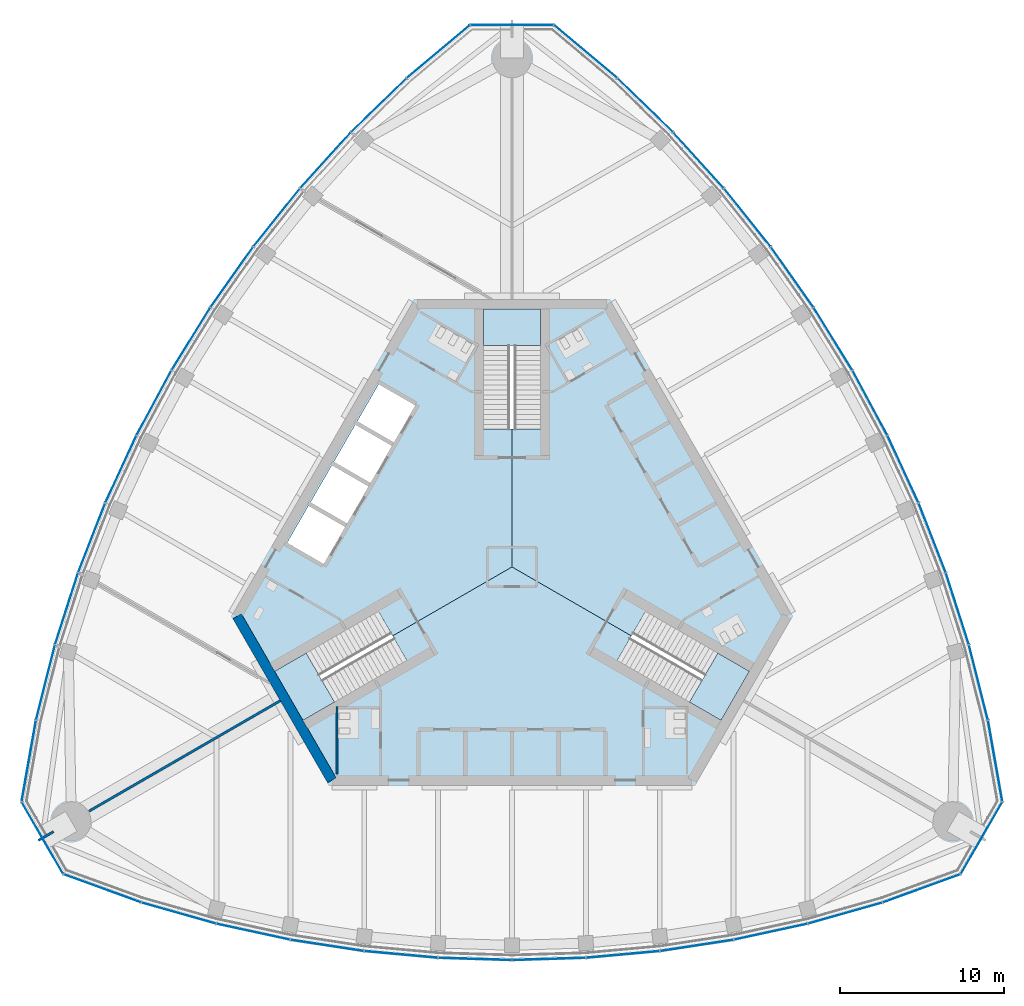
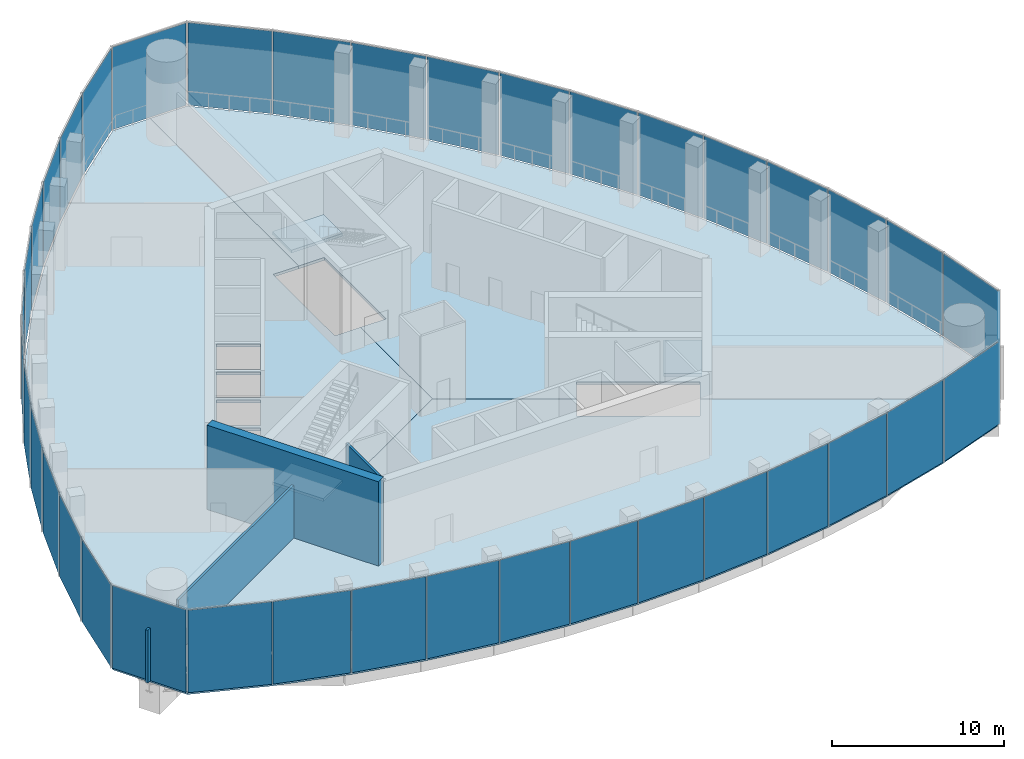
# One storey, part 8 of 15: 39 plates, 6 slabs, 4 walls, 9 elements without a shape of their own.
"""IFC4 building model written with IfcOpenShell, lengths in metres."""

from ifc_helpers import new_model, si_unit, direction, frame, frame_2d, origin, origin_2d, place, context, subcontext, project, spatial, polyline, rectangle, outline, extrude, material, layer, layer_set, type_object, element, aggregate, save


model = new_model("IFC4")

# Units and contexts
model_context = context("Model", 3, precision=1e-05, world=origin(), true_north=direction((0.0, 1.0)))
body_context = subcontext(model_context, "Body", "Model", "MODEL_VIEW")
ifc_project = project(units=[si_unit("LENGTHUNIT", "METRE"), si_unit("AREAUNIT", "SQUARE_METRE"), si_unit("VOLUMEUNIT", "CUBIC_METRE"), si_unit("PLANEANGLEUNIT", "RADIAN"), si_unit("MASSUNIT", "GRAM", prefix="KILO")], contexts=[model_context])

# Site, building, storey
site_placement = place(None, origin())
site = spatial("IfcSite", under=ifc_project, at=site_placement, CompositionType="ELEMENT")
building_placement = place(site_placement, origin())
building = spatial("IfcBuilding", under=site, at=building_placement, Name="Trefoil Bronze Tower", CompositionType="ELEMENT")
storey_placement = place(building_placement, frame((0.0, 0.0, 322.5)))
storey = spatial("IfcBuildingStorey", under=building, at=storey_placement, Name="L74", CompositionType="ELEMENT", Elevation=322.5)

# Curtain wall, plates
ifc_material_1 = material(Name="Tinted solar-control glass", Category="glass")
curtain_wall_type_1 = type_object("IfcCurtainWallType", Name="Bronze observation curtain wall", PredefinedType="USERDEFINED", material=ifc_material_1)
curtain_wall_1_placement = place(storey_placement, origin())
curtain_wall_1 = element("IfcCurtainWall", 1, at=curtain_wall_1_placement, inside=storey, type_object=curtain_wall_type_1, Name="CW-E L74 F1", ObjectType="CURTAIN WALL", PredefinedType="USERDEFINED")
ifc_material_2 = material(Name="Tinted solar-control glass", Category="glass")
ifc_layer_1 = layer(ifc_material_2, 0.030029296875)
ifc_layer_set_1 = layer_set([ifc_layer_1], Name="Bronze observation curtain wall glass panel")
plate_type_1 = type_object("IfcPlateType", Name="Bronze observation curtain wall glass panel", PredefinedType="CURTAIN_PANEL", material=ifc_layer_set_1)
plate_1_placement = place(storey_placement, frame((-20.301513671875, -21.092529296875, 0.0), z_axis=(0.0, 0.0, 1.0), x_axis=(0.962097746943, -0.272704831875, 0.0)))
plate_1 = element("IfcPlate", 2, at=plate_1_placement, type_object=plate_type_1, Name="CW-E L74 F1 panel 1", PredefinedType="CURTAIN_PANEL", context=body_context, shape_type="SweptSolid", body=[
    extrude(rectangle(XDim=4.66748046875, YDim=0.030029296875, at=origin_2d()), origin(), (0.0, 0.0, 1.0), 5.8798828125),
])
plate_2_placement = place(storey_placement, frame((-15.771240234375, -22.226318359375, 0.0), z_axis=(0.0, 0.0, 1.0), x_axis=(0.977303138829, -0.211845639168, 0.0)))
plate_2 = element("IfcPlate", 3, at=plate_2_placement, type_object=plate_type_1, Name="CW-E L74 F1 panel 2", PredefinedType="CURTAIN_PANEL", context=body_context, shape_type="SweptSolid", body=[
    extrude(rectangle(XDim=4.54443359375, YDim=0.030029296875, at=origin_2d()), origin(), (0.0, 0.0, 1.0), 5.8798828125),
])
plate_3_placement = place(storey_placement, frame((-11.26513671875, -23.0595703125, 0.0), z_axis=(0.0, 0.0, 1.0), x_axis=(0.988485337216, -0.151316681529, 0.0)))
plate_3 = element("IfcPlate", 4, at=plate_3_placement, type_object=plate_type_1, Name="CW-E L74 F1 panel 3", PredefinedType="CURTAIN_PANEL", context=body_context, shape_type="SweptSolid", body=[
    extrude(rectangle(XDim=4.492431640625, YDim=0.030029296875, at=origin_2d()), origin(), (0.0, 0.0, 1.0), 5.8798828125),
])
plate_4_placement = place(storey_placement, frame((-6.759033203125, -23.60986328125, 0.0), z_axis=(0.0, 0.0, 1.0), x_axis=(0.99587011625, -0.090789380212, 0.0)))
plate_4 = element("IfcPlate", 5, at=plate_4_placement, type_object=plate_type_1, Name="CW-E L74 F1 panel 4", PredefinedType="CURTAIN_PANEL", context=body_context, shape_type="SweptSolid", body=[
    extrude(rectangle(XDim=4.458740234375, YDim=0.030029296875, at=origin_2d()), origin(), (0.0, 0.0, 1.0), 5.8798828125),
])
plate_5_placement = place(storey_placement, frame((-2.2529296875, -23.883544921875, 0.0), z_axis=(0.0, 0.0, 1.0), x_axis=(0.999541969785, -0.030263024264, 0.0)))
plate_5 = element("IfcPlate", 6, at=plate_5_placement, type_object=plate_type_1, Name="CW-E L74 F1 panel 5", PredefinedType="CURTAIN_PANEL", context=body_context, shape_type="SweptSolid", body=[
    extrude(rectangle(XDim=4.442138671875, YDim=0.030029296875, at=origin_2d()), origin(), (0.0, 0.0, 1.0), 5.8798828125),
])
plate_6_placement = place(storey_placement, frame((2.2529296875, -23.883544921875, 0.0), z_axis=(0.0, 0.0, 1.0), x_axis=(0.999541969785, 0.030263024264, 0.0)))
plate_6 = element("IfcPlate", 7, at=plate_6_placement, type_object=plate_type_1, Name="CW-E L74 F1 panel 6", PredefinedType="CURTAIN_PANEL", context=body_context, shape_type="SweptSolid", body=[
    extrude(rectangle(XDim=4.442138671875, YDim=0.030029296875, at=origin_2d()), origin(), (0.0, 0.0, 1.0), 5.8798828125),
])
plate_7_placement = place(storey_placement, frame((6.759033203125, -23.60986328125, 0.0), z_axis=(0.0, 0.0, 1.0), x_axis=(0.99587011625, 0.090789380212, 0.0)))
plate_7 = element("IfcPlate", 8, at=plate_7_placement, type_object=plate_type_1, Name="CW-E L74 F1 panel 7", PredefinedType="CURTAIN_PANEL", context=body_context, shape_type="SweptSolid", body=[
    extrude(rectangle(XDim=4.458740234375, YDim=0.030029296875, at=origin_2d()), origin(), (0.0, 0.0, 1.0), 5.8798828125),
])
plate_8_placement = place(storey_placement, frame((11.26513671875, -23.0595703125, 0.0), z_axis=(0.0, 0.0, 1.0), x_axis=(0.988485337216, 0.151316681529, 0.0)))
plate_8 = element("IfcPlate", 9, at=plate_8_placement, type_object=plate_type_1, Name="CW-E L74 F1 panel 8", PredefinedType="CURTAIN_PANEL", context=body_context, shape_type="SweptSolid", body=[
    extrude(rectangle(XDim=4.492431640625, YDim=0.030029296875, at=origin_2d()), origin(), (0.0, 0.0, 1.0), 5.8798828125),
])
plate_9_placement = place(storey_placement, frame((15.771240234375, -22.226318359375, 0.0), z_axis=(0.0, 0.0, 1.0), x_axis=(0.977303138829, 0.211845639168, 0.0)))
plate_9 = element("IfcPlate", 10, at=plate_9_placement, type_object=plate_type_1, Name="CW-E L74 F1 panel 9", PredefinedType="CURTAIN_PANEL", context=body_context, shape_type="SweptSolid", body=[
    extrude(rectangle(XDim=4.54443359375, YDim=0.030029296875, at=origin_2d()), origin(), (0.0, 0.0, 1.0), 5.8798828125),
])
plate_10_placement = place(storey_placement, frame((20.301513671875, -21.092529296875, 0.0), z_axis=(0.0, 0.0, 1.0), x_axis=(0.962097746943, 0.272704831875, 0.0)))
plate_10 = element("IfcPlate", 11, at=plate_10_placement, type_object=plate_type_1, Name="CW-E L74 F1 panel 10", PredefinedType="CURTAIN_PANEL", context=body_context, shape_type="SweptSolid", body=[
    extrude(rectangle(XDim=4.66748046875, YDim=0.030029296875, at=origin_2d()), origin(), (0.0, 0.0, 1.0), 5.8798828125),
])
aggregate(curtain_wall_1, [plate_1, plate_2, plate_3, plate_4, plate_5, plate_6, plate_7, plate_8, plate_9, plate_10])

curtain_wall_2_placement = place(storey_placement, origin())
curtain_wall_2 = element("IfcCurtainWall", 12, at=curtain_wall_2_placement, inside=storey, type_object=curtain_wall_type_1, Name="CW-E L74 F2", ObjectType="CURTAIN WALL", PredefinedType="USERDEFINED")
plate_11_placement = place(storey_placement, frame((28.417236328125, -7.035400390625, 0.0), z_axis=(0.0, 0.0, 1.0), x_axis=(-0.244879561333, 0.969553505713, 0.0)))
plate_11 = element("IfcPlate", 13, at=plate_11_placement, type_object=plate_type_1, Name="CW-E L74 F2 panel 1", PredefinedType="CURTAIN_PANEL", context=body_context, shape_type="SweptSolid", body=[
    extrude(rectangle(XDim=4.66748046875, YDim=0.030029296875, at=origin_2d()), origin(), (0.0, 0.0, 1.0), 5.8798828125),
])
plate_12_placement = place(storey_placement, frame((27.134033203125, -2.545166015625, 0.0), z_axis=(0.0, 0.0, 1.0), x_axis=(-0.305187864214, 0.952292165009, 0.0)))
plate_12 = element("IfcPlate", 14, at=plate_12_placement, type_object=plate_type_1, Name="CW-E L74 F2 panel 2", PredefinedType="CURTAIN_PANEL", context=body_context, shape_type="SweptSolid", body=[
    extrude(rectangle(XDim=4.54443359375, YDim=0.030029296875, at=origin_2d()), origin(), (0.0, 0.0, 1.0), 5.8798828125),
])
plate_13_placement = place(storey_placement, frame((25.602783203125, 1.77392578125, 0.0), z_axis=(0.0, 0.0, 1.0), x_axis=(-0.363198578387, 0.931711754062, 0.0)))
plate_13 = element("IfcPlate", 15, at=plate_13_placement, type_object=plate_type_1, Name="CW-E L74 F2 panel 3", PredefinedType="CURTAIN_PANEL", context=body_context, shape_type="SweptSolid", body=[
    extrude(rectangle(XDim=4.492431640625, YDim=0.030029296875, at=origin_2d()), origin(), (0.0, 0.0, 1.0), 5.8798828125),
])
plate_14_placement = place(storey_placement, frame((23.826171875, 5.951416015625, 0.0), z_axis=(0.0, 0.0, 1.0), x_axis=(-0.419309148468, 0.907843509649, 0.0)))
plate_14 = element("IfcPlate", 16, at=plate_14_placement, type_object=plate_type_1, Name="CW-E L74 F2 panel 4", PredefinedType="CURTAIN_PANEL", context=body_context, shape_type="SweptSolid", body=[
    extrude(rectangle(XDim=4.458740234375, YDim=0.030029296875, at=origin_2d()), origin(), (0.0, 0.0, 1.0), 5.8798828125),
])
plate_15_placement = place(storey_placement, frame((21.81005859375, 9.990478515625, 0.0), z_axis=(0.0, 0.0, 1.0), x_axis=(-0.473562437085, 0.880760250115, 0.0)))
plate_15 = element("IfcPlate", 17, at=plate_15_placement, type_object=plate_type_1, Name="CW-E L74 F2 panel 5", PredefinedType="CURTAIN_PANEL", context=body_context, shape_type="SweptSolid", body=[
    extrude(rectangle(XDim=4.442138671875, YDim=0.030029296875, at=origin_2d()), origin(), (0.0, 0.0, 1.0), 5.8798828125),
])
plate_16_placement = place(storey_placement, frame((19.55712890625, 13.892822265625, 0.0), z_axis=(0.0, 0.0, 1.0), x_axis=(-0.525979532701, 0.850497225851, 0.0)))
plate_16 = element("IfcPlate", 18, at=plate_16_placement, type_object=plate_type_1, Name="CW-E L74 F2 panel 6", PredefinedType="CURTAIN_PANEL", context=body_context, shape_type="SweptSolid", body=[
    extrude(rectangle(XDim=4.442138671875, YDim=0.030029296875, at=origin_2d()), origin(), (0.0, 0.0, 1.0), 5.8798828125),
])
plate_17_placement = place(storey_placement, frame((17.067138671875, 17.658447265625, 0.0), z_axis=(0.0, 0.0, 1.0), x_axis=(-0.576560967783, 0.817054129437, 0.0)))
plate_17 = element("IfcPlate", 19, at=plate_17_placement, type_object=plate_type_1, Name="CW-E L74 F2 panel 7", PredefinedType="CURTAIN_PANEL", context=body_context, shape_type="SweptSolid", body=[
    extrude(rectangle(XDim=4.458740234375, YDim=0.030029296875, at=origin_2d()), origin(), (0.0, 0.0, 1.0), 5.8798828125),
])
plate_18_placement = place(storey_placement, frame((14.337646484375, 21.28564453125, 0.0), z_axis=(0.0, 0.0, 1.0), x_axis=(-0.625286758829, 0.780395072533, 0.0)))
plate_18 = element("IfcPlate", 20, at=plate_18_placement, type_object=plate_type_1, Name="CW-E L74 F2 panel 8", PredefinedType="CURTAIN_PANEL", context=body_context, shape_type="SweptSolid", body=[
    extrude(rectangle(XDim=4.492431640625, YDim=0.030029296875, at=origin_2d()), origin(), (0.0, 0.0, 1.0), 5.8798828125),
])
plate_19_placement = place(storey_placement, frame((11.36279296875, 24.771484375, 0.0), z_axis=(0.0, 0.0, 1.0), x_axis=(-0.672115274615, 0.74044652584, 0.0)))
plate_19 = element("IfcPlate", 21, at=plate_19_placement, type_object=plate_type_1, Name="CW-E L74 F2 panel 9", PredefinedType="CURTAIN_PANEL", context=body_context, shape_type="SweptSolid", body=[
    extrude(rectangle(XDim=4.54443359375, YDim=0.030029296875, at=origin_2d()), origin(), (0.0, 0.0, 1.0), 5.8798828125),
])
plate_20_placement = place(storey_placement, frame((8.115966796875, 28.127685546875, 0.0), z_axis=(0.0, 0.0, 1.0), x_axis=(-0.71721818561, 0.696848673839, 0.0)))
plate_20 = element("IfcPlate", 22, at=plate_20_placement, type_object=plate_type_1, Name="CW-E L74 F2 panel 10", PredefinedType="CURTAIN_PANEL", context=body_context, shape_type="SweptSolid", body=[
    extrude(rectangle(XDim=4.66748046875, YDim=0.030029296875, at=origin_2d()), origin(), (0.0, 0.0, 1.0), 5.8798828125),
])
aggregate(curtain_wall_2, [plate_11, plate_12, plate_13, plate_14, plate_15, plate_16, plate_17, plate_18, plate_19, plate_20])

curtain_wall_3_placement = place(storey_placement, origin())
curtain_wall_3 = element("IfcCurtainWall", 23, at=curtain_wall_3_placement, inside=storey, type_object=curtain_wall_type_1, Name="CW-E L74 F3", ObjectType="CURTAIN WALL", PredefinedType="USERDEFINED")
plate_21_placement = place(storey_placement, frame((-8.115966796875, 28.127685546875, 0.0), z_axis=(0.0, 0.0, 1.0), x_axis=(-0.71721818561, -0.696848673839, 0.0)))
plate_21 = element("IfcPlate", 24, at=plate_21_placement, type_object=plate_type_1, Name="CW-E L74 F3 panel 1", PredefinedType="CURTAIN_PANEL", context=body_context, shape_type="SweptSolid", body=[
    extrude(rectangle(XDim=4.66748046875, YDim=0.030029296875, at=origin_2d()), origin(), (0.0, 0.0, 1.0), 5.8798828125),
])
plate_22_placement = place(storey_placement, frame((-11.36279296875, 24.771484375, 0.0), z_axis=(0.0, 0.0, 1.0), x_axis=(-0.672115274615, -0.74044652584, 0.0)))
plate_22 = element("IfcPlate", 25, at=plate_22_placement, type_object=plate_type_1, Name="CW-E L74 F3 panel 2", PredefinedType="CURTAIN_PANEL", context=body_context, shape_type="SweptSolid", body=[
    extrude(rectangle(XDim=4.54443359375, YDim=0.030029296875, at=origin_2d()), origin(), (0.0, 0.0, 1.0), 5.8798828125),
])
plate_23_placement = place(storey_placement, frame((-14.337646484375, 21.28564453125, 0.0), z_axis=(0.0, 0.0, 1.0), x_axis=(-0.625286758829, -0.780395072533, 0.0)))
plate_23 = element("IfcPlate", 26, at=plate_23_placement, type_object=plate_type_1, Name="CW-E L74 F3 panel 3", PredefinedType="CURTAIN_PANEL", context=body_context, shape_type="SweptSolid", body=[
    extrude(rectangle(XDim=4.492431640625, YDim=0.030029296875, at=origin_2d()), origin(), (0.0, 0.0, 1.0), 5.8798828125),
])
plate_24_placement = place(storey_placement, frame((-17.067138671875, 17.658447265625, 0.0), z_axis=(0.0, 0.0, 1.0), x_axis=(-0.576560967783, -0.817054129437, 0.0)))
plate_24 = element("IfcPlate", 27, at=plate_24_placement, type_object=plate_type_1, Name="CW-E L74 F3 panel 4", PredefinedType="CURTAIN_PANEL", context=body_context, shape_type="SweptSolid", body=[
    extrude(rectangle(XDim=4.458740234375, YDim=0.030029296875, at=origin_2d()), origin(), (0.0, 0.0, 1.0), 5.8798828125),
])
plate_25_placement = place(storey_placement, frame((-19.55712890625, 13.892822265625, 0.0), z_axis=(0.0, 0.0, 1.0), x_axis=(-0.525979532701, -0.850497225851, 0.0)))
plate_25 = element("IfcPlate", 28, at=plate_25_placement, type_object=plate_type_1, Name="CW-E L74 F3 panel 5", PredefinedType="CURTAIN_PANEL", context=body_context, shape_type="SweptSolid", body=[
    extrude(rectangle(XDim=4.442138671875, YDim=0.030029296875, at=origin_2d()), origin(), (0.0, 0.0, 1.0), 5.8798828125),
])
plate_26_placement = place(storey_placement, frame((-21.81005859375, 9.990478515625, 0.0), z_axis=(0.0, 0.0, 1.0), x_axis=(-0.473562437085, -0.880760250115, 0.0)))
plate_26 = element("IfcPlate", 29, at=plate_26_placement, type_object=plate_type_1, Name="CW-E L74 F3 panel 6", PredefinedType="CURTAIN_PANEL", context=body_context, shape_type="SweptSolid", body=[
    extrude(rectangle(XDim=4.442138671875, YDim=0.030029296875, at=origin_2d()), origin(), (0.0, 0.0, 1.0), 5.8798828125),
])
plate_27_placement = place(storey_placement, frame((-23.826171875, 5.951416015625, 0.0), z_axis=(0.0, 0.0, 1.0), x_axis=(-0.419309148468, -0.907843509649, 0.0)))
plate_27 = element("IfcPlate", 30, at=plate_27_placement, type_object=plate_type_1, Name="CW-E L74 F3 panel 7", PredefinedType="CURTAIN_PANEL", context=body_context, shape_type="SweptSolid", body=[
    extrude(rectangle(XDim=4.458740234375, YDim=0.030029296875, at=origin_2d()), origin(), (0.0, 0.0, 1.0), 5.8798828125),
])
plate_28_placement = place(storey_placement, frame((-25.602783203125, 1.77392578125, 0.0), z_axis=(0.0, 0.0, 1.0), x_axis=(-0.363198578387, -0.931711754062, 0.0)))
plate_28 = element("IfcPlate", 31, at=plate_28_placement, type_object=plate_type_1, Name="CW-E L74 F3 panel 8", PredefinedType="CURTAIN_PANEL", context=body_context, shape_type="SweptSolid", body=[
    extrude(rectangle(XDim=4.492431640625, YDim=0.030029296875, at=origin_2d()), origin(), (0.0, 0.0, 1.0), 5.8798828125),
])
plate_29_placement = place(storey_placement, frame((-27.134033203125, -2.545166015625, 0.0), z_axis=(0.0, 0.0, 1.0), x_axis=(-0.305187864214, -0.952292165009, 0.0)))
plate_29 = element("IfcPlate", 32, at=plate_29_placement, type_object=plate_type_1, Name="CW-E L74 F3 panel 9", PredefinedType="CURTAIN_PANEL", context=body_context, shape_type="SweptSolid", body=[
    extrude(rectangle(XDim=4.54443359375, YDim=0.030029296875, at=origin_2d()), origin(), (0.0, 0.0, 1.0), 5.8798828125),
])
plate_30_placement = place(storey_placement, frame((-28.417236328125, -7.035400390625, 0.0), z_axis=(0.0, 0.0, 1.0), x_axis=(-0.244879561333, -0.969553505713, 0.0)))
plate_30 = element("IfcPlate", 33, at=plate_30_placement, type_object=plate_type_1, Name="CW-E L74 F3 panel 10", PredefinedType="CURTAIN_PANEL", context=body_context, shape_type="SweptSolid", body=[
    extrude(rectangle(XDim=4.66748046875, YDim=0.030029296875, at=origin_2d()), origin(), (0.0, 0.0, 1.0), 5.8798828125),
])
aggregate(curtain_wall_3, [plate_21, plate_22, plate_23, plate_24, plate_25, plate_26, plate_27, plate_28, plate_29, plate_30])

ifc_material_3 = material(Name="Tinted solar-control glass", Category="glass")
curtain_wall_type_2 = type_object("IfcCurtainWallType", Name="Bronze rounded corner curtain wall", PredefinedType="USERDEFINED", material=ifc_material_3)
curtain_wall_4_placement = place(storey_placement, origin())
curtain_wall_4 = element("IfcCurtainWall", 34, at=curtain_wall_4_placement, inside=storey, type_object=curtain_wall_type_2, Name="CW-B L74 K1", ObjectType="CURTAIN WALL", PredefinedType="USERDEFINED")
ifc_material_4 = material(Name="Tinted solar-control glass", Category="glass")
ifc_layer_2 = layer(ifc_material_4, 0.030029296875)
ifc_layer_set_2 = layer_set([ifc_layer_2], Name="Bronze rounded corner curtain wall glass panel")
plate_type_2 = type_object("IfcPlateType", Name="Bronze rounded corner curtain wall glass panel", PredefinedType="CURTAIN_PANEL", material=ifc_layer_set_2)
plate_31_placement = place(storey_placement, frame((24.939453125, -19.587646484375, 0.0), z_axis=(0.0, 0.0, 1.0), x_axis=(0.939692620786, 0.342020143326, 0.0)))
plate_31 = element("IfcPlate", 35, at=plate_31_placement, type_object=plate_type_2, Name="CW-B L74 K1 panel 1", PredefinedType="CURTAIN_PANEL", context=body_context, shape_type="SweptSolid", body=[
    extrude(rectangle(XDim=4.956298828125, YDim=0.030029296875, at=origin_2d()), origin(), (0.0, 0.0, 1.0), 5.8798828125),
])
plate_32_placement = place(storey_placement, frame((28.602783203125, -16.513916015625, 0.0), z_axis=(0.0, 0.0, 1.0), x_axis=(0.5, 0.866025403784, 0.0)))
plate_32 = element("IfcPlate", 36, at=plate_32_placement, type_object=plate_type_2, Name="CW-B L74 K1 panel 2", PredefinedType="CURTAIN_PANEL", context=body_context, shape_type="SweptSolid", body=[
    extrude(rectangle(XDim=4.956298828125, YDim=0.030029296875, at=origin_2d()), origin(), (0.0, 0.0, 1.0), 5.8798828125),
])
plate_33_placement = place(storey_placement, frame((29.43310546875, -11.80419921875, 0.0), z_axis=(0.0, 0.0, 1.0), x_axis=(-0.173648177667, 0.984807753012, 0.0)))
plate_33 = element("IfcPlate", 37, at=plate_33_placement, type_object=plate_type_2, Name="CW-B L74 K1 panel 3", PredefinedType="CURTAIN_PANEL", context=body_context, shape_type="SweptSolid", body=[
    extrude(rectangle(XDim=4.956298828125, YDim=0.030029296875, at=origin_2d()), origin(), (0.0, 0.0, 1.0), 5.8798828125),
])
aggregate(curtain_wall_4, [plate_31, plate_32, plate_33])

curtain_wall_5_placement = place(storey_placement, origin())
curtain_wall_5 = element("IfcCurtainWall", 38, at=curtain_wall_5_placement, inside=storey, type_object=curtain_wall_type_2, Name="CW-B L74 K2", ObjectType="CURTAIN WALL", PredefinedType="USERDEFINED")
plate_34_placement = place(storey_placement, frame((4.493896484375, 31.39208984375, 0.0), z_axis=(0.0, 0.0, 1.0), x_axis=(-0.766044443119, 0.642787609687, 0.0)))
plate_34 = element("IfcPlate", 39, at=plate_34_placement, type_object=plate_type_2, Name="CW-B L74 K2 panel 1", PredefinedType="CURTAIN_PANEL", context=body_context, shape_type="SweptSolid", body=[
    extrude(rectangle(XDim=4.956298828125, YDim=0.030029296875, at=origin_2d()), origin(), (0.0, 0.0, 1.0), 5.8798828125),
])
plate_35_placement = place(storey_placement, frame((0.0, 33.027587890625, 0.0), z_axis=(0.0, 0.0, 1.0), x_axis=(-1.0, 0.0, 0.0)))
plate_35 = element("IfcPlate", 40, at=plate_35_placement, type_object=plate_type_2, Name="CW-B L74 K2 panel 2", PredefinedType="CURTAIN_PANEL", context=body_context, shape_type="SweptSolid", body=[
    extrude(rectangle(XDim=4.956298828125, YDim=0.030029296875, at=origin_2d()), origin(), (0.0, 0.0, 1.0), 5.8798828125),
])
plate_36_placement = place(storey_placement, frame((-4.493896484375, 31.39208984375, 0.0), z_axis=(0.0, 0.0, 1.0), x_axis=(-0.766044443119, -0.642787609687, 0.0)))
plate_36 = element("IfcPlate", 41, at=plate_36_placement, type_object=plate_type_2, Name="CW-B L74 K2 panel 3", PredefinedType="CURTAIN_PANEL", context=body_context, shape_type="SweptSolid", body=[
    extrude(rectangle(XDim=4.956298828125, YDim=0.030029296875, at=origin_2d()), origin(), (0.0, 0.0, 1.0), 5.8798828125),
])
aggregate(curtain_wall_5, [plate_34, plate_35, plate_36])

curtain_wall_6_placement = place(storey_placement, origin())
curtain_wall_6 = element("IfcCurtainWall", 42, at=curtain_wall_6_placement, inside=storey, type_object=curtain_wall_type_2, Name="CW-B L74 K3", ObjectType="CURTAIN WALL", PredefinedType="USERDEFINED")
plate_37_placement = place(storey_placement, frame((-29.43310546875, -11.80419921875, 0.0), z_axis=(0.0, 0.0, 1.0), x_axis=(-0.173648177667, -0.984807753012, 0.0)))
plate_37 = element("IfcPlate", 43, at=plate_37_placement, type_object=plate_type_2, Name="CW-B L74 K3 panel 1", PredefinedType="CURTAIN_PANEL", context=body_context, shape_type="SweptSolid", body=[
    extrude(rectangle(XDim=4.956298828125, YDim=0.030029296875, at=origin_2d()), origin(), (0.0, 0.0, 1.0), 5.8798828125),
])
plate_38_placement = place(storey_placement, frame((-28.602783203125, -16.513916015625, 0.0), z_axis=(0.0, 0.0, 1.0), x_axis=(0.5, -0.866025403784, 0.0)))
plate_38 = element("IfcPlate", 44, at=plate_38_placement, type_object=plate_type_2, Name="CW-B L74 K3 panel 2", PredefinedType="CURTAIN_PANEL", context=body_context, shape_type="SweptSolid", body=[
    extrude(rectangle(XDim=4.956298828125, YDim=0.030029296875, at=origin_2d()), origin(), (0.0, 0.0, 1.0), 5.8798828125),
])
plate_39_placement = place(storey_placement, frame((-24.939453125, -19.587646484375, 0.0), z_axis=(0.0, 0.0, 1.0), x_axis=(0.939692620786, -0.342020143326, 0.0)))
plate_39 = element("IfcPlate", 45, at=plate_39_placement, type_object=plate_type_2, Name="CW-B L74 K3 panel 3", PredefinedType="CURTAIN_PANEL", context=body_context, shape_type="SweptSolid", body=[
    extrude(rectangle(XDim=4.956298828125, YDim=0.030029296875, at=origin_2d()), origin(), (0.0, 0.0, 1.0), 5.8798828125),
])
aggregate(curtain_wall_6, [plate_37, plate_38, plate_39])

# Slabs
ifc_material_5 = material(Name="Concrete B30", Category="concrete")
ifc_layer_3 = layer(ifc_material_5, 0.199951171875)
ifc_layer_set_3 = layer_set([ifc_layer_3], Name="Floor slab 200")
slab_type_1 = type_object("IfcSlabType", Name="Floor slab 200", PredefinedType="FLOOR", material=ifc_layer_set_3)
slab_1_placement = place(storey_placement, frame((0.0, 0.0, -0.199951171875)))
element("IfcSlab", 46, at=slab_1_placement, inside=storey, type_object=slab_type_1, Name="Floor slab L74 face 1", PredefinedType="FLOOR", context=body_context, shape_type="SweptSolid", body=[
    extrude(outline(polyline([(13.5, -22.6162109375), (9.0, -23.30517578125), (4.5, -23.71533203125), (0.0, -23.8515625), (-4.5, -23.71533203125), (-9.0, -23.30517578125), (-13.5, -22.6162109375), (-18.0, -21.640869140625), (-22.54833984375, -20.3515625), (-27.261962890625, -18.635986328125), (-28.51611328125, -16.4638671875), (-13.510009765625, -7.800048828125), (-12.6474609375, -9.2939453125), (-6.412109375, -5.69384765625), (-7.274658203125, -4.199951171875), (0.0, 0.0), (7.274658203125, -4.199951171875), (6.412109375, -5.69384765625), (12.6474609375, -9.2939453125), (13.510009765625, -7.800048828125), (28.51611328125, -16.4638671875), (27.261962890625, -18.635986328125), (22.54833984375, -20.3515625), (18.0, -21.640869140625), (13.5, -22.6162109375)])), origin(), (0.0, 0.0, 1.0), 0.199951171875),
])
slab_2_placement = place(storey_placement, frame((0.0, 0.0, -0.199951171875)))
element("IfcSlab", 47, at=slab_2_placement, inside=storey, type_object=slab_type_1, Name="Floor slab L74 face 2", PredefinedType="FLOOR", context=body_context, shape_type="SweptSolid", body=[
    extrude(outline(polyline([(12.836181640625, 22.99951171875), (15.682861328125, 19.44677734375), (18.2880859375, 15.7548828125), (20.656005859375, 11.92578125), (22.7880859375, 7.96044921875), (24.682861328125, 3.8583984375), (26.336181640625, -0.38330078125), (27.741455078125, -4.76806640625), (28.899169921875, -9.3515625), (29.770263671875, -14.291748046875), (28.51611328125, -16.4638671875), (13.510009765625, -7.800048828125), (14.37255859375, -6.30615234375), (8.13720703125, -2.7060546875), (7.274658203125, -4.199951171875), (0.0, 0.0), (0.0, 8.39990234375), (1.72509765625, 8.39990234375), (1.72509765625, 15.60009765625), (0.0, 15.60009765625), (0.0, 32.927490234375), (2.508056640625, 32.927490234375), (6.350830078125, 29.703125), (9.741455078125, 26.408935546875), (12.836181640625, 22.99951171875)])), origin(), (0.0, 0.0, 1.0), 0.199951171875),
])
slab_3_placement = place(storey_placement, frame((0.0, 0.0, -0.199951171875)))
element("IfcSlab", 48, at=slab_3_placement, inside=storey, type_object=slab_type_1, Name="Floor slab L74 face 3", PredefinedType="FLOOR", context=body_context, shape_type="SweptSolid", body=[
    extrude(outline(polyline([(-26.336181640625, -0.38330078125), (-24.682861328125, 3.8583984375), (-22.7880859375, 7.96044921875), (-20.656005859375, 11.92578125), (-18.2880859375, 15.7548828125), (-15.682861328125, 19.44677734375), (-12.836181640625, 22.99951171875), (-9.741455078125, 26.408935546875), (-6.350830078125, 29.703125), (-2.508056640625, 32.927490234375), (0.0, 32.927490234375), (0.0, 15.60009765625), (-1.72509765625, 15.60009765625), (-1.72509765625, 8.39990234375), (0.0, 8.39990234375), (0.0, 0.0), (-7.274658203125, -4.199951171875), (-8.13720703125, -2.7060546875), (-14.37255859375, -6.30615234375), (-13.510009765625, -7.800048828125), (-28.51611328125, -16.4638671875), (-29.770263671875, -14.291748046875), (-28.899169921875, -9.3515625), (-27.741455078125, -4.76806640625), (-26.336181640625, -0.38330078125)]), holes=[polyline([(-5.894287109375, 9.840576171875), (-7.1943359375, 7.5888671875), (-9.42431640625, 8.87646484375), (-8.12451171875, 11.128173828125), (-5.894287109375, 9.840576171875)]), polyline([(-7.3193359375, 7.372314453125), (-8.619384765625, 5.120849609375), (-10.849365234375, 6.408203125), (-9.54931640625, 8.659912109375), (-7.3193359375, 7.372314453125)]), polyline([(-8.744384765625, 4.904296875), (-10.04443359375, 2.652587890625), (-12.2744140625, 3.940185546875), (-10.974365234375, 6.191650390625), (-8.744384765625, 4.904296875)]), polyline([(-10.16943359375, 2.43603515625), (-11.469482421875, 0.184326171875), (-13.699462890625, 1.471923828125), (-12.3994140625, 3.7236328125), (-10.16943359375, 2.43603515625)])]), origin(), (0.0, 0.0, 1.0), 0.199951171875),
])

# Stair, slab
ifc_material_6 = material(Name="Precast concrete B80", Category="concrete")
stair_type = type_object("IfcStairType", Name="Exit stair 36 risers", PredefinedType="HALF_TURN_STAIR", material=ifc_material_6)
stair_1_placement = place(storey_placement, origin())
stair_1 = element("IfcStair", 49, at=stair_1_placement, inside=storey, type_object=stair_type, Name="Stair ST1 L74", PredefinedType="HALF_TURN_STAIR")
ifc_material_7 = material(Name="Concrete B30", Category="concrete")
ifc_layer_4 = layer(ifc_material_7, 0.199951171875)
ifc_layer_set_4 = layer_set([ifc_layer_4], Name="Stair landing 200")
slab_type_2 = type_object("IfcSlabType", Name="Stair landing 200", PredefinedType="LANDING", material=ifc_layer_set_4)
slab_4_placement = place(storey_placement, frame((0.0, 0.0, 2.800048828125)))
slab_4 = element("IfcSlab", 50, at=slab_4_placement, type_object=slab_type_2, Name="ST1 landing 1", PredefinedType="LANDING", context=body_context, shape_type="SweptSolid", body=[
    extrude(outline(polyline([(10.8115234375, -8.23388671875), (12.734130859375, -9.343994140625), (14.458984375, -6.356201171875), (12.53662109375, -5.24609375), (10.8115234375, -8.23388671875)])), origin(), (0.0, 0.0, 1.0), 0.199951171875),
])
aggregate(stair_1, [slab_4])

stair_2_placement = place(storey_placement, origin())
stair_2 = element("IfcStair", 51, at=stair_2_placement, inside=storey, type_object=stair_type, Name="Stair ST2 L74", PredefinedType="HALF_TURN_STAIR")
slab_5_placement = place(storey_placement, frame((0.0, 0.0, 2.800048828125)))
slab_5 = element("IfcSlab", 52, at=slab_5_placement, type_object=slab_type_2, Name="ST2 landing 1", PredefinedType="LANDING", context=body_context, shape_type="SweptSolid", body=[
    extrude(outline(polyline([(1.72509765625, 13.47998046875), (1.72509765625, 15.699951171875), (-1.72509765625, 15.699951171875), (-1.72509765625, 13.47998046875), (1.72509765625, 13.47998046875)])), origin(), (0.0, 0.0, 1.0), 0.199951171875),
])
aggregate(stair_2, [slab_5])

stair_3_placement = place(storey_placement, origin())
stair_3 = element("IfcStair", 53, at=stair_3_placement, inside=storey, type_object=stair_type, Name="Stair ST3 L74", PredefinedType="HALF_TURN_STAIR")
slab_6_placement = place(storey_placement, frame((0.0, 0.0, 2.800048828125)))
slab_6 = element("IfcSlab", 54, at=slab_6_placement, type_object=slab_type_2, Name="ST3 landing 1", PredefinedType="LANDING", context=body_context, shape_type="SweptSolid", body=[
    extrude(outline(polyline([(-12.53662109375, -5.24609375), (-14.458984375, -6.356201171875), (-12.734130859375, -9.343994140625), (-10.8115234375, -8.23388671875), (-12.53662109375, -5.24609375)])), origin(), (0.0, 0.0, 1.0), 0.199951171875),
])
aggregate(stair_3, [slab_6])

# Walls
ifc_material_8 = material(Name="Concrete B80", Category="concrete")
ifc_layer_5 = layer(ifc_material_8, 0.60009765625)
ifc_layer_set_5 = layer_set([ifc_layer_5], Name="Core wall 600")
wall_type_1 = type_object("IfcWallType", Name="Core wall 600", PredefinedType="SHEAR", material=ifc_layer_set_5)
wall_1_placement = place(storey_placement, frame((-16.7431640625, -3.0, 0.0), z_axis=(0.0, 0.0, 1.0), x_axis=(0.499995765644, -0.866027848477, 0.0)))
element("IfcWall", 55, at=wall_1_placement, inside=storey, type_object=wall_type_1, Name="Core short wall 3 L74", PredefinedType="SHEAR", context=body_context, shape_type="SweptSolid", body=[
    extrude(rectangle(XDim=11.546875, YDim=0.60009765625, at=frame_2d((5.7734375, 0.0))), origin(), (0.0, 0.0, 1.0), 6.0),
])
ifc_material_9 = material(Name="Gypsum board on steel studs", Category="steel")
ifc_layer_6 = layer(ifc_material_9, 0.14990234375)
ifc_layer_set_6 = layer_set([ifc_layer_6], Name="Partition 150")
wall_type_2 = type_object("IfcWallType", Name="Partition 150", PredefinedType="PARTITIONING", material=ifc_layer_set_6)
wall_2_placement = place(storey_placement, frame((-10.659912109375, -8.5, 0.0), z_axis=(0.0, 0.0, 1.0), x_axis=(0.0, -1.0, 0.0)))
element("IfcWall", 56, at=wall_2_placement, inside=storey, type_object=wall_type_2, Name="WC partition WC (women) L74", PredefinedType="PARTITIONING", context=body_context, shape_type="SweptSolid", body=[
    extrude(rectangle(XDim=4.10009765625, YDim=0.14990234375, at=frame_2d((2.050048828125, 0.0))), origin(), (0.0, 0.0, 1.0), 5.75),
])
ifc_material_10 = material(Name="Gypsum board on steel studs", Category="steel")
ifc_layer_7 = layer(ifc_material_10, 0.14990234375)
ifc_layer_set_7 = layer_set([ifc_layer_7], Name="Party wall 150")
wall_type_3 = type_object("IfcWallType", Name="Party wall 150", PredefinedType="PARTITIONING", material=ifc_layer_set_7)
wall_3_placement = place(storey_placement, frame((-14.1162109375, -8.14990234375, 0.0), z_axis=(0.0, 0.0, 1.0), x_axis=(-0.866020541135, -0.500008422262, 0.0)))
element("IfcWall", 57, at=wall_3_placement, inside=storey, type_object=wall_type_3, Name="Party wall K3 L74", PredefinedType="PARTITIONING", context=body_context, shape_type="SweptSolid", body=[
    extrude(rectangle(XDim=13.449951171875, YDim=0.14990234375, at=frame_2d((6.72509765625, 0.0))), origin(), (0.0, 0.0, 1.0), 3.75),
])
wall_4_placement = place(storey_placement, frame((-27.92919921875, -16.125, 0.0), z_axis=(0.0, 0.0, 1.0), x_axis=(-0.866086810508, -0.499893625349, 0.0)))
element("IfcWall", 58, at=wall_4_placement, inside=storey, type_object=wall_type_3, Name="Party wall K3 L74", PredefinedType="PARTITIONING", context=body_context, shape_type="SweptSolid", body=[
    extrude(rectangle(XDim=1.070068359375, YDim=0.14990234375, at=frame_2d((0.53515625, 0.0))), origin(), (0.0, 0.0, 1.0), 3.75),
])

save(model, "model.ifc")
